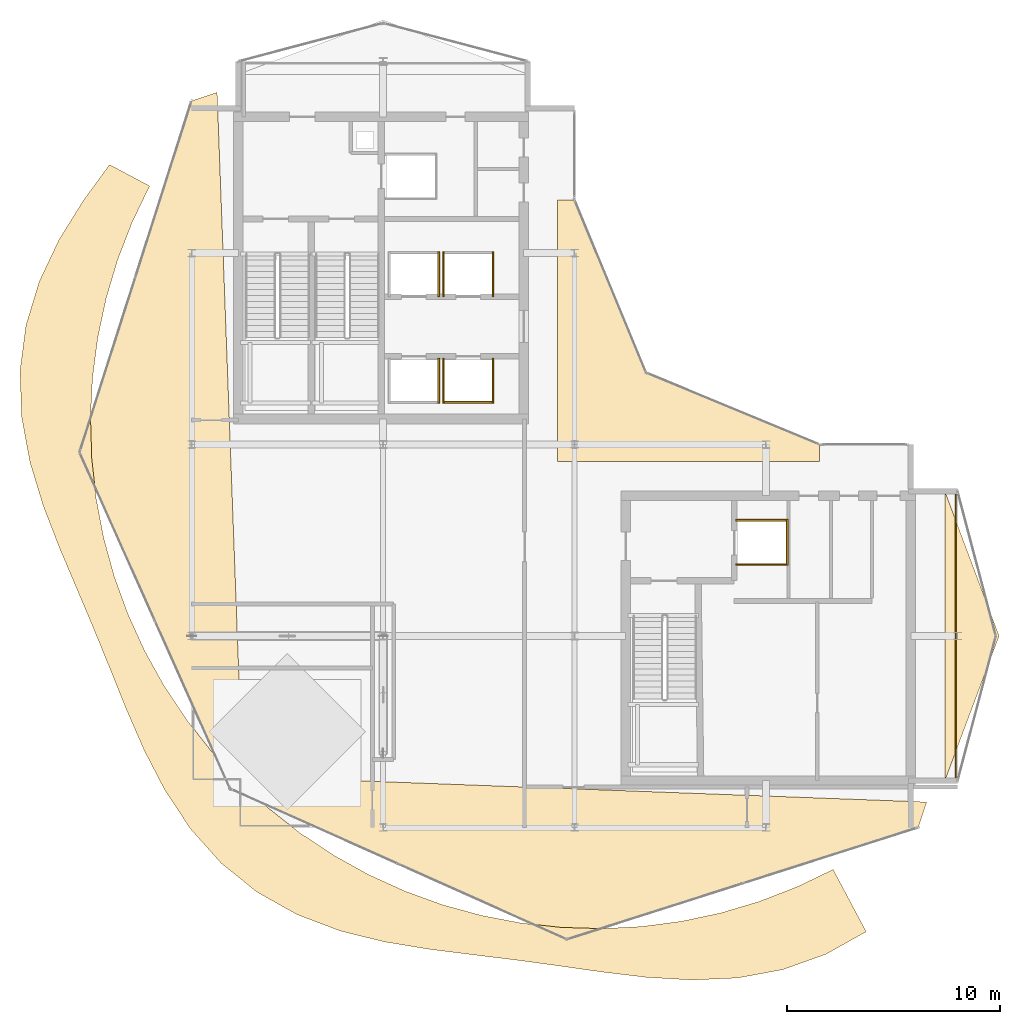
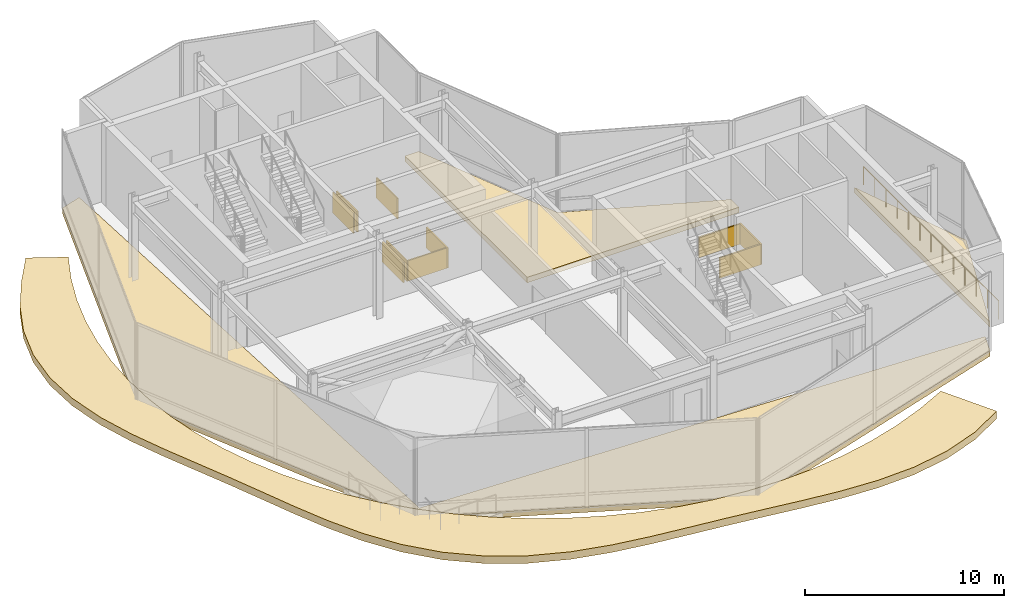
# One storey, part 20 of 21: 14 coverings, 1 railing.
"""IFC4 building model written with IfcOpenShell, lengths in metres."""

import ifcopenshell
import ifcopenshell.guid

model = None  # the IFC model being written
_history = None  # IfcOwnerHistory: only IFC2X3 demands one
_inside = {}  # id of a spatial element -> (the spatial element, [elements in it])
_under = {}  # id of a project, library or spatial element -> (it, [spatial elements below it])
_declared = {}  # id of a project -> (the project, [libraries it declares])
_typed = {}  # id of a type object -> (the type object, [elements of that type])
_made_of = {}  # id of a material, layer set ... -> (it, [elements and type objects made of it])


def new_model(schema):
    """Start an empty IFC model of exactly this schema.

    Asked for "IFC4X3", IfcOpenShell would pick the latest addendum, in which some entities
    have other attributes; the version numbers below select the first issue.
    IFC2X3 requires an IfcOwnerHistory on every rooted entity: one is made here for all.
    """
    global model, _history
    if schema == "IFC4X3":
        model = ifcopenshell.file(schema_version=(4, 3, 0, 0))
    else:
        model = ifcopenshell.file(schema=schema)
    _inside.clear()
    _under.clear()
    _declared.clear()
    _typed.clear()
    _made_of.clear()
    _history = None
    if model.schema == "IFC2X3":
        org = make("IfcOrganization", Name="unknown")
        user = make(
            "IfcPersonAndOrganization",
            ThePerson=make("IfcPerson", FamilyName="unknown"),
            TheOrganization=org,
        )
        app = make(
            "IfcApplication",
            ApplicationDeveloper=org,
            Version="unknown",
            ApplicationFullName="unknown",
            ApplicationIdentifier="unknown",
        )
        _history = make(
            "IfcOwnerHistory",
            OwningUser=user,
            OwningApplication=app,
            ChangeAction="ADDED",
            CreationDate=0,
        )
    return model


def make(cls, **values):
    """One entity of the class cls with the attributes given. An attribute that is None is left unset."""
    return model.create_entity(
        cls, **{name: value for name, value in values.items() if value is not None}
    )


def rooted(cls, **values):
    """An entity with a GlobalId (a new one), such as an element, a storey or a relation."""
    return make(cls, GlobalId=ifcopenshell.guid.new(), OwnerHistory=_history, **values)


def si_unit(unit_type, name, prefix=None):
    """IfcSIUnit, for example si_unit("LENGTHUNIT", "METRE", prefix="MILLI")."""
    return make("IfcSIUnit", UnitType=unit_type, Prefix=prefix, Name=name)


def assignment(units):
    """IfcUnitAssignment: the units of a project."""
    return None if units is None else make("IfcUnitAssignment", Units=units)


def point(xyz):
    """IfcCartesianPoint."""
    return None if xyz is None else make("IfcCartesianPoint", Coordinates=xyz)


def direction(xyz):
    """IfcDirection."""
    return None if xyz is None else make("IfcDirection", DirectionRatios=xyz)


def frame(location, z_axis=None, x_axis=None):
    """IfcAxis2Placement3D, a coordinate frame: its origin and axes. An axis left out is left unset."""
    return make(
        "IfcAxis2Placement3D",
        Location=point(location),
        Axis=direction(z_axis),
        RefDirection=direction(x_axis),
    )


def frame_2d(location, x_axis=None):
    """IfcAxis2Placement2D, a coordinate frame in the plane: its origin and x axis."""
    return make(
        "IfcAxis2Placement2D", Location=point(location), RefDirection=direction(x_axis)
    )


def origin():
    """The frame at (0, 0, 0) with its axes left unset."""
    return frame((0.0, 0.0, 0.0))


def origin_2d():
    """The frame at (0, 0) in the plane with its x axis left unset."""
    return frame_2d((0.0, 0.0))


def place(relative_to, where):
    """IfcLocalPlacement: puts the frame where relative to a parent placement (None: the world)."""
    return make(
        "IfcLocalPlacement", PlacementRelTo=relative_to, RelativePlacement=where
    )


def context(
    kind, dimensions, precision=None, world=None, true_north=None, identifier=None
):
    """IfcGeometricRepresentationContext, for example the 3D "Model" context."""
    return make(
        "IfcGeometricRepresentationContext",
        ContextIdentifier=identifier,
        ContextType=kind,
        CoordinateSpaceDimension=dimensions,
        Precision=precision,
        WorldCoordinateSystem=world,
        TrueNorth=true_north,
    )


def subcontext(parent, identifier, kind, view, scale=None):
    """IfcGeometricRepresentationSubContext, for example "Body" below "Model"."""
    return make(
        "IfcGeometricRepresentationSubContext",
        ContextIdentifier=identifier,
        ContextType=kind,
        ParentContext=parent,
        TargetScale=scale,
        TargetView=view,
    )


def project(units=None, contexts=None):
    """IfcProject with its units and contexts."""
    return rooted(
        "IfcProject",
        Name="project",
        RepresentationContexts=contexts,
        UnitsInContext=assignment(units),
    )


def spatial(cls, under=None, at=None, **own):
    """A site, building, storey or space (cls), placed at a placement, below another one or the project."""
    s = rooted(cls, ObjectPlacement=at, **own)
    if under is not None:
        _under.setdefault(under.id(), (under, []))[1].append(s)
    return s


def polyline(points):
    """IfcPolyline through the points."""
    return make("IfcPolyline", Points=[point(p) for p in points])


def profile(cls, at=None, kind="AREA", **sizes):
    """A parametric profile (cls). Its sizes go by their IFC names, for example OverallWidth=200.0."""
    return make(cls, ProfileType=kind, Position=at, **sizes)


def rectangle(**sizes):
    """IfcRectangleProfileDef."""
    return profile("IfcRectangleProfileDef", **sizes)


def circle(**sizes):
    """IfcCircleProfileDef."""
    return profile("IfcCircleProfileDef", **sizes)


def outline(outer, holes=None, kind="AREA"):
    """IfcArbitraryClosedProfileDef: a profile drawn as a closed curve; with holes, ...WithVoids."""
    if holes is None:
        return make("IfcArbitraryClosedProfileDef", ProfileType=kind, OuterCurve=outer)
    return make(
        "IfcArbitraryProfileDefWithVoids",
        ProfileType=kind,
        OuterCurve=outer,
        InnerCurves=holes,
    )


def extrude(swept, where, along, depth):
    """IfcExtrudedAreaSolid: the profile swept, set in the frame where, extruded along a direction by depth."""
    return make(
        "IfcExtrudedAreaSolid",
        SweptArea=swept,
        Position=where,
        ExtrudedDirection=direction(along),
        Depth=depth,
    )


def shape(context_of_items, identifier, shape_type, items):
    """IfcShapeRepresentation: the items that make up one representation, for example the "Body"."""
    return make(
        "IfcShapeRepresentation",
        ContextOfItems=context_of_items,
        RepresentationIdentifier=identifier,
        RepresentationType=shape_type,
        Items=items,
    )


def material(Name=None, Category=None):
    """IfcMaterial."""
    return make("IfcMaterial", Name=Name, Category=Category)


def layer(
    of_material, thickness, ventilated=None, Name=None, Category=None, Priority=None
):
    """IfcMaterialLayer: one layer of a wall or slab, of a material (None: an air gap)."""
    return make(
        "IfcMaterialLayer",
        Material=of_material,
        LayerThickness=thickness,
        IsVentilated=ventilated,
        Name=Name,
        Category=Category,
        Priority=Priority,
    )


def layer_set(layers, Name=None):
    """IfcMaterialLayerSet."""
    return make("IfcMaterialLayerSet", MaterialLayers=layers, LayerSetName=Name)


def made_of(thing, what):
    """Note that an element or type object is made of a material, layer set ...; save() writes the relation."""
    if what is not None:
        _made_of.setdefault(what.id(), (what, []))[1].append(thing)
    return thing


def type_object(cls, material=None, **own):
    """A type object (cls), such as IfcWallType, which elements share."""
    return made_of(rooted(cls, **own), material)


def element(
    cls,
    number,
    at=None,
    inside=None,
    cuts=None,
    type_object=None,
    material=None,
    context=None,
    identifier="Body",
    shape_type=None,
    held_by="IfcProductDefinitionShape",
    body=None,
    shapes=None,
    **own,
):
    """One element of the class cls, such as IfcWall. Its Tag is "e" and its number.

    at: its placement. inside: the storey or other place that contains it. cuts: it is an
    opening in that element (IfcRelVoidsElement). A single representation is given by context,
    identifier, shape_type and body (its items); several are given by shapes. held_by: the class
    of the entity that holds the representations. save() writes the other relations.
    """
    e = rooted(cls, Tag="e%d" % number, ObjectPlacement=at, **own)
    if body is not None:
        shapes = [shape(context, identifier, shape_type, body)]
    if shapes is not None:
        e.Representation = make(held_by, Representations=shapes)
    if inside is not None:
        _inside.setdefault(inside.id(), (inside, []))[1].append(e)
    if cuts is not None:
        rooted(
            "IfcRelVoidsElement", RelatingBuildingElement=cuts, RelatedOpeningElement=e
        )
    if type_object is not None:
        _typed.setdefault(type_object.id(), (type_object, []))[1].append(e)
    return made_of(e, material)


def aggregate(whole, parts):
    """IfcRelAggregates: a whole, such as a stair, and the parts it consists of."""
    return rooted("IfcRelAggregates", RelatingObject=whole, RelatedObjects=parts)


def save(model, path):
    """Write the relations noted so far, then the file.

    IfcRelAggregates (storeys below a building ...), IfcRelContainedInSpatialStructure (elements
    in a storey), IfcRelDefinesByType, IfcRelAssociatesMaterial and IfcRelDeclares: one each for
    every whole, place, type object, material and project.
    """
    for whole, parts in _under.values():
        aggregate(whole, parts)
    for where, things in _inside.values():
        rooted(
            "IfcRelContainedInSpatialStructure",
            RelatedElements=things,
            RelatingStructure=where,
        )
    for kind, things in _typed.values():
        rooted("IfcRelDefinesByType", RelatedObjects=things, RelatingType=kind)
    for what, things in _made_of.values():
        rooted("IfcRelAssociatesMaterial", RelatedObjects=things, RelatingMaterial=what)
    for by, libraries in _declared.values():
        rooted("IfcRelDeclares", RelatingContext=by, RelatedDefinitions=libraries)
    model.write(path)


model = new_model("IFC4")

# Units and contexts
model_context = context("Model", 3, precision=1e-05, world=origin(), true_north=direction((0.0, 1.0)))
body_context = subcontext(model_context, "Body", "Model", "MODEL_VIEW")
ifc_project = project(units=[si_unit("LENGTHUNIT", "METRE"), si_unit("AREAUNIT", "SQUARE_METRE"), si_unit("VOLUMEUNIT", "CUBIC_METRE"), si_unit("PLANEANGLEUNIT", "RADIAN"), si_unit("MASSUNIT", "GRAM", prefix="KILO")], contexts=[model_context])

# Site, building, storey
site_placement = place(None, origin())
site = spatial("IfcSite", under=ifc_project, at=site_placement, CompositionType="ELEMENT")
building_placement = place(site_placement, origin())
building = spatial("IfcBuilding", under=site, at=building_placement, Name="Solvaryn Broadcast Tower", CompositionType="ELEMENT")
storey_placement = place(building_placement, frame((0.0, 0.0, 297.39990234375)))
storey = spatial("IfcBuildingStorey", under=building, at=storey_placement, Name="L75", CompositionType="ELEMENT", Elevation=297.39990234375)

# Coverings
ifc_material_1 = material(Name="Fire-Rated Gypsum Shaftwall Liner", Category="concrete")
ifc_layer_1 = layer(ifc_material_1, 0.080078125)
ifc_layer_set_1 = layer_set([ifc_layer_1], Name="CV-SHAFT-LINER")
covering_type_1 = type_object("IfcCoveringType", Name="CV-SHAFT-LINER", PredefinedType="CLADDING", material=ifc_layer_set_1)
covering_1_placement = place(storey_placement, frame((20.614990234375, 30.0, 0.0), z_axis=(0.0, 0.0, 1.0), x_axis=(1.0, 0.0, 0.0)))
element("IfcCovering", 1, at=covering_1_placement, inside=storey, type_object=covering_type_1, Name="L75 PH1 Hoistway Shaft Liner East", PredefinedType="CLADDING", context=body_context, shape_type="SweptSolid", body=[
    extrude(rectangle(XDim=0.080078125, YDim=2.110107421875, at=origin_2d()), origin(), (0.0, 0.0, 1.0), 1.25),
])
covering_2_placement = place(storey_placement, frame((22.0, 28.985107421875, 0.0), z_axis=(0.0, 0.0, 1.0), x_axis=(1.0, 0.0, 0.0)))
element("IfcCovering", 2, at=covering_2_placement, inside=storey, type_object=covering_type_1, Name="L75 PH2 Hoistway Shaft Liner South", PredefinedType="CLADDING", context=body_context, shape_type="SweptSolid", body=[
    extrude(rectangle(XDim=2.409912109375, YDim=0.080078125, at=origin_2d()), origin(), (0.0, 0.0, 1.0), 1.25),
])
for number, where, z_axis, x_axis, name in (
    (3, (23.1650390625, 30.0, 0.0), (0.0, 0.0, 1.0), (1.0, 0.0, 0.0), "L75 PH2 Hoistway Shaft Liner East"),
    (4, (20.8349609375, 30.0, 0.0), (0.0, 0.0, 1.0), (1.0, 0.0, 0.0), "L75 PH2 Hoistway Shaft Liner West"),
    (5, (20.614990234375, 35.0, 0.0), (0.0, 0.0, 1.0), (1.0, 0.0, 0.0), "L75 PH3 Hoistway Shaft Liner East"),
    (6, (23.1650390625, 35.0, 0.0), (0.0, 0.0, 1.0), (1.0, 0.0, 0.0), "L75 PH4 Hoistway Shaft Liner East"),
    (7, (20.8349609375, 35.0, 0.0), (0.0, 0.0, 1.0), (1.0, 0.0, 0.0), "L75 PH4 Hoistway Shaft Liner West"),
):
    element("IfcCovering", number, at=place(storey_placement, frame(where, z_axis=z_axis, x_axis=x_axis)), inside=storey, type_object=covering_type_1, Name=name, PredefinedType="CLADDING", context=body_context, shape_type="SweptSolid", body=[
        extrude(rectangle(XDim=0.080078125, YDim=2.110107421875, at=origin_2d()), origin(), (0.0, 0.0, 1.0), 1.25),
    ])
for number, where, z_axis, x_axis, name in (
    (8, (35.800048828125, 23.43994140625, 0.0), (0.0, 0.0, 1.0), (1.0, 0.0, 0.0), "L75 FL2 Hoistway Shaft Liner North"),
    (9, (35.800048828125, 21.360107421875, 0.0), (0.0, 0.0, 1.0), (1.0, 0.0, 0.0), "L75 FL2 Hoistway Shaft Liner South"),
):
    element("IfcCovering", number, at=place(storey_placement, frame(where, z_axis=z_axis, x_axis=x_axis)), inside=storey, type_object=covering_type_1, Name=name, PredefinedType="CLADDING", context=body_context, shape_type="SweptSolid", body=[
        extrude(rectangle(XDim=2.4599609375, YDim=0.080078125, at=origin_2d()), origin(), (0.0, 0.0, 1.0), 1.25),
    ])
covering_3_placement = place(storey_placement, frame((36.989990234375, 22.39990234375, 0.0), z_axis=(0.0, 0.0, 1.0), x_axis=(1.0, 0.0, 0.0)))
element("IfcCovering", 10, at=covering_3_placement, inside=storey, type_object=covering_type_1, Name="L75 FL2 Hoistway Shaft Liner East", PredefinedType="CLADDING", context=body_context, shape_type="SweptSolid", body=[
    extrude(rectangle(XDim=0.080078125, YDim=2.159912109375, at=origin_2d()), origin(), (0.0, 0.0, 1.0), 1.25),
])
ifc_material_2 = material(Name="Sculpted Architectural Terracotta Wave Fascia", Category="masonry")
ifc_layer_2 = layer(ifc_material_2, 0.340087890625)
ifc_layer_set_2 = layer_set([ifc_layer_2], Name="CV-WAVE-TRAY")
covering_type_2 = type_object("IfcCoveringType", Name="CV-WAVE-TRAY", PredefinedType="CLADDING", material=ifc_layer_set_2)
covering_4_placement = place(storey_placement, frame((0.0, 0.0, -0.2998046875)))
element("IfcCovering", 11, at=covering_4_placement, inside=storey, type_object=covering_type_2, Name="L75 Stepped Cylindrical Drum Floor Apron", PredefinedType="CLADDING", context=body_context, shape_type="SweptSolid", body=[
    extrude(outline(polyline([(10.199951171875, 43.549072265625), (9.0, 43.14892578125), (3.738037109375, 26.635986328125), (10.81689453125, 10.81689453125), (26.635986328125, 3.738037109375), (43.14892578125, 9.0), (43.14892578125, 9.0), (43.549072265625, 10.199951171875), (11.39990234375, 11.39990234375), (10.199951171875, 43.549072265625)])), origin(), (0.0, 0.0, 1.0), 0.329833984375),
])
covering_5_placement = place(storey_placement, frame((0.0, 0.0, -0.2998046875)))
element("IfcCovering", 12, at=covering_5_placement, inside=storey, type_object=covering_type_2, Name="L75 Concave Canyon Floor Apron", PredefinedType="CLADDING", context=body_context, shape_type="SweptSolid", body=[
    extrude(outline(polyline([(26.199951171875, 26.199951171875), (38.5, 26.199951171875), (38.5, 27.0), (30.367919921875, 30.367919921875), (27.0, 38.5), (26.199951171875, 38.5), (26.199951171875, 26.199951171875)])), origin(), (0.0, 0.0, 1.0), 0.329833984375),
])
covering_6_placement = place(storey_placement, frame((0.0, 0.0, -0.2998046875)))
element("IfcCovering", 13, at=covering_6_placement, inside=storey, type_object=covering_type_2, Name="L75 East Curved Wing Deck", PredefinedType="CLADDING", context=body_context, shape_type="SweptSolid", body=[
    extrude(outline(polyline([(44.39990234375, 11.199951171875), (46.949951171875, 18.0), (44.39990234375, 24.800048828125), (44.39990234375, 11.199951171875)])), origin(), (0.0, 0.0, 1.0), 0.329833984375),
])
covering_7_placement = place(storey_placement, frame((0.0, 0.0, -0.31982421875)))
element("IfcCovering", 14, at=covering_7_placement, inside=storey, type_object=covering_type_2, Name="L75 Stepped Cylindrical Drum Wave Ring Terrace", PredefinedType="CLADDING", context=body_context, shape_type="SweptSolid", body=[
    extrude(outline(polyline([(5.14306640625, 40.153076171875), (3.89990234375, 38.447998046875), (2.76904296875, 36.6259765625), (1.844970703125, 34.673095703125), (1.216064453125, 32.60205078125), (0.93603515625, 30.45703125), (1.012939453125, 28.2939453125), (1.403076171875, 26.1689453125), (2.027099609375, 24.117919921875), (2.787109375, 22.14990234375), (3.593994140625, 20.24609375), (4.387939453125, 18.3701171875), (5.155029296875, 16.485107421875), (5.926025390625, 14.572021484375), (6.764892578125, 12.64306640625), (7.7490234375, 10.741943359375), (8.943115234375, 8.943115234375), (10.383056640625, 7.327880859375), (12.06689453125, 5.969970703125), (13.9541015625, 4.908935546875), (15.97509765625, 4.14306640625), (18.06005859375, 3.626953125), (20.14697265625, 3.282958984375), (22.205078125, 3.02294921875), (24.22998046875, 2.77490234375), (26.2451171875, 2.501953125), (28.281005859375, 2.2119140625), (30.364013671875, 1.9609375), (32.49609375, 1.8349609375), (34.652099609375, 1.928955078125), (36.780029296875, 2.320068359375), (38.81689453125, 3.048095703125), (40.705078125, 4.10498046875), (39.14990234375, 7.030029296875), (37.447021484375, 6.2099609375), (35.68310546875, 5.527099609375), (33.87109375, 4.987060546875), (32.02197265625, 4.593017578125), (30.14697265625, 4.346923828125), (28.259033203125, 4.2509765625), (26.368896484375, 4.305908203125), (24.489990234375, 4.510986328125), (22.632080078125, 4.864990234375), (20.80908203125, 5.364990234375), (19.031005859375, 6.009033203125), (17.31005859375, 6.7919921875), (15.656982421875, 7.708984375), (14.08203125, 8.7548828125), (12.594970703125, 9.924072265625), (11.2060546875, 11.2060546875), (9.924072265625, 12.594970703125), (8.7548828125, 14.08203125), (7.708984375, 15.656982421875), (6.7919921875, 17.31005859375), (6.009033203125, 19.031005859375), (5.364990234375, 20.80908203125), (4.864990234375, 22.632080078125), (4.510986328125, 24.489990234375), (4.305908203125, 26.368896484375), (4.2509765625, 28.259033203125), (4.346923828125, 30.14697265625), (4.593017578125, 32.02197265625), (4.987060546875, 33.87109375), (5.527099609375, 35.68310546875), (6.2099609375, 37.447021484375), (7.030029296875, 39.14990234375), (5.14306640625, 40.153076171875)])), origin(), (0.0, 0.0, 1.0), 0.4599609375),
])

# Railing
ifc_material_3 = material(Name="Stainless Steel and Laminated Glass Guard", Category="steel")
railing_type = type_object("IfcRailingType", Name="RL-TER-1150", PredefinedType="BALUSTRADE", material=ifc_material_3)
railing_placement = place(storey_placement, frame((44.919921875, 11.199951171875, 0.0)))
element("IfcRailing", 15, at=railing_placement, inside=storey, type_object=railing_type, Name="L75 East Wing Spandrel Edge Guard", PredefinedType="BALUSTRADE", context=body_context, shape_type="SweptSolid", body=[
    extrude(circle(Radius=0.02392578125, at=origin_2d()), frame((0.0, 0.0, 1.1259765625), z_axis=(0.0, 1.0, 0.0), x_axis=(-1.0, 0.0, 0.0)), (0.0, 0.0, 1.0), 13.60009765625),
    extrude(circle(Radius=0.02099609375, at=origin_2d()), origin(), (0.0, 0.0, 1.0), 1.101806640625),
    extrude(circle(Radius=0.02099609375, at=origin_2d()), frame((0.0, 1.13330078125, 0.0)), (0.0, 0.0, 1.0), 1.101806640625),
    extrude(circle(Radius=0.02099609375, at=origin_2d()), frame((0.0, 2.2666015625, 0.0)), (0.0, 0.0, 1.0), 1.101806640625),
    extrude(circle(Radius=0.02099609375, at=origin_2d()), frame((0.0, 3.39990234375, 0.0)), (0.0, 0.0, 1.0), 1.101806640625),
    extrude(circle(Radius=0.02099609375, at=origin_2d()), frame((0.0, 4.533447265625, 0.0)), (0.0, 0.0, 1.0), 1.101806640625),
    extrude(circle(Radius=0.02099609375, at=origin_2d()), frame((0.0, 5.666748046875, 0.0)), (0.0, 0.0, 1.0), 1.101806640625),
    extrude(circle(Radius=0.02099609375, at=origin_2d()), frame((0.0, 6.800048828125, 0.0)), (0.0, 0.0, 1.0), 1.101806640625),
    extrude(circle(Radius=0.02099609375, at=origin_2d()), frame((0.0, 7.933349609375, 0.0)), (0.0, 0.0, 1.0), 1.101806640625),
    extrude(circle(Radius=0.02099609375, at=origin_2d()), frame((0.0, 9.066650390625, 0.0)), (0.0, 0.0, 1.0), 1.101806640625),
    extrude(circle(Radius=0.02099609375, at=origin_2d()), frame((0.0, 10.2001953125, 0.0)), (0.0, 0.0, 1.0), 1.101806640625),
    extrude(circle(Radius=0.02099609375, at=origin_2d()), frame((0.0, 11.33349609375, 0.0)), (0.0, 0.0, 1.0), 1.101806640625),
    extrude(circle(Radius=0.02099609375, at=origin_2d()), frame((0.0, 12.466796875, 0.0)), (0.0, 0.0, 1.0), 1.101806640625),
    extrude(circle(Radius=0.02099609375, at=origin_2d()), frame((0.0, 13.60009765625, 0.0)), (0.0, 0.0, 1.0), 1.101806640625),
])

save(model, "model.ifc")
